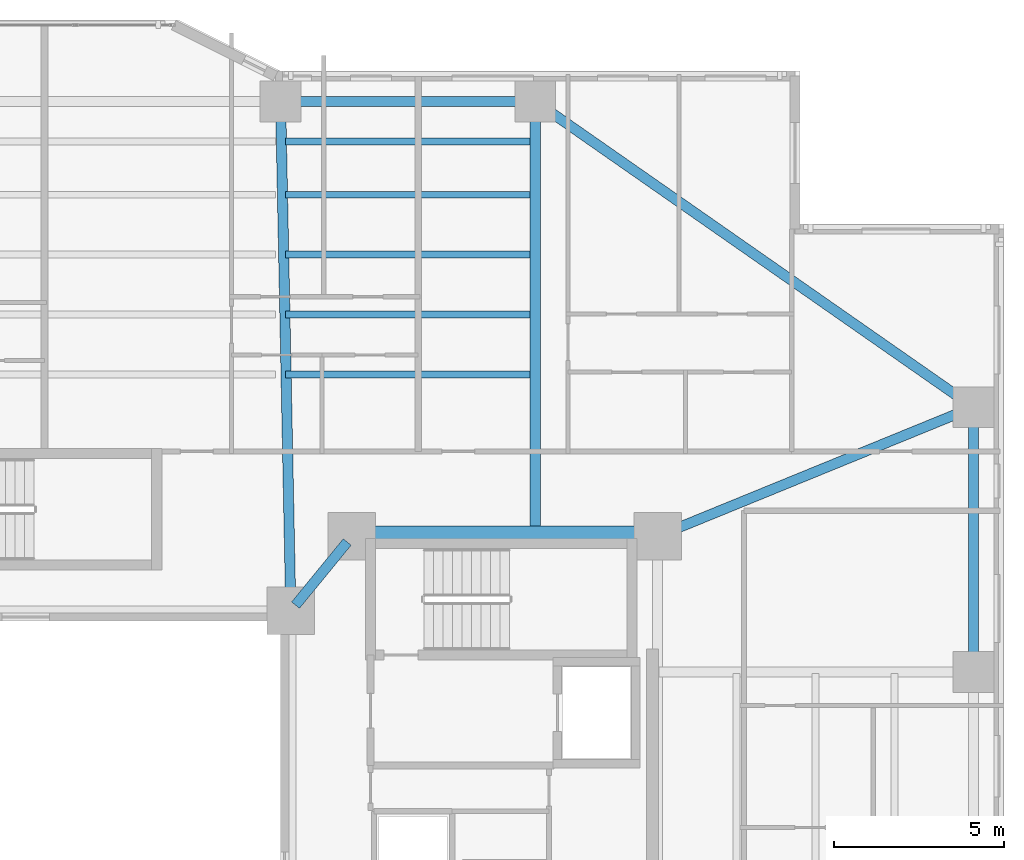
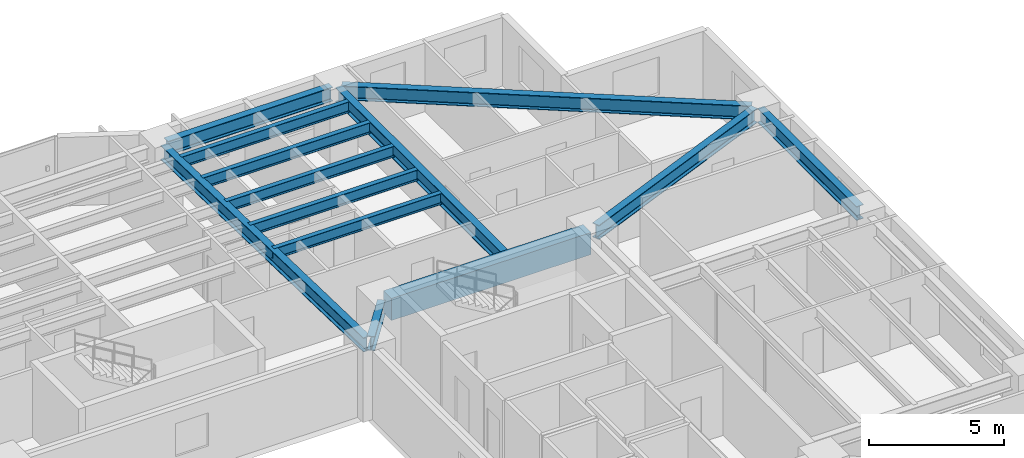
# One storey, part 7 of 22: 13 beams.
"""IFC4 building model written with IfcOpenShell, lengths in metres."""

from ifc_helpers import new_model, si_unit, direction, frame, origin, origin_2d, place, context, subcontext, project, spatial, rectangle, i_section, extrude, material, material_profile, profile_set, type_object, element, save


model = new_model("IFC4")

# Units and contexts
model_context = context("Model", 3, precision=1e-05, world=origin(), true_north=direction((0.0, 1.0)))
body_context = subcontext(model_context, "Body", "Model", "MODEL_VIEW")
ifc_project = project(units=[si_unit("LENGTHUNIT", "METRE"), si_unit("AREAUNIT", "SQUARE_METRE"), si_unit("VOLUMEUNIT", "CUBIC_METRE"), si_unit("PLANEANGLEUNIT", "RADIAN"), si_unit("MASSUNIT", "GRAM", prefix="KILO")], contexts=[model_context])

# Site, building, storey
site_placement = place(None, origin())
site = spatial("IfcSite", under=ifc_project, at=site_placement, CompositionType="ELEMENT")
building_placement = place(site_placement, origin())
building = spatial("IfcBuilding", under=site, at=building_placement, Name="Tarnavaz Court Tower", CompositionType="ELEMENT")
storey_placement = place(building_placement, frame((0.0, 0.0, 27.35009765625)))
storey = spatial("IfcBuildingStorey", under=building, at=storey_placement, Name="L06", CompositionType="ELEMENT", Elevation=27.35009765625)

# Beams
ifc_material_1 = material(Name="Concrete C60/75", Category="concrete")
ifc_material_profile_1 = material_profile(ifc_material_1, rectangle(XDim=0.60009765625, YDim=1.0, at=origin_2d()), Name="RC 600X1000")
ifc_profile_set_1 = profile_set([ifc_material_profile_1], Name="Concrete C60/75")
beam_type_1 = type_object("IfcBeamType", Name="BM-CB1000", PredefinedType="LINTEL", material=ifc_profile_set_1)
beam_1_placement = place(storey_placement, frame((18.3798828125, 10.0, 2.599853515625), z_axis=(-1.0, 0.0, 0.0), x_axis=(0.0, -1.0, 0.0)))
element("IfcBeam", 1, at=beam_1_placement, inside=storey, type_object=beam_type_1, Name="L06 Beam IN-CE-NO-CE-NI", PredefinedType="LINTEL", context=body_context, shape_type="SweptSolid", body=[
    extrude(rectangle(XDim=0.60009765625, YDim=1.0, at=origin_2d()), origin(), (0.0, 0.0, 1.0), 8.559814453125),
])
ifc_material_2 = material(Name="Steel S355", Category="steel")
ifc_material_profile_2 = material_profile(ifc_material_2, i_section(OverallWidth=0.300048828125, OverallDepth=0.64990234375, WebThickness=0.01611328125, FlangeThickness=0.031005859375, FilletRadius=0.027099609375, at=origin_2d()), Name="HEB 650")
ifc_profile_set_2 = profile_set([ifc_material_profile_2], Name="Steel S355")
beam_type_2 = type_object("IfcBeamType", Name="BM-G-HEB650", PredefinedType="USERDEFINED", material=ifc_profile_set_2)
beam_2_placement = place(storey_placement, frame((9.460693359375, 9.82958984375, 2.77490234375), z_axis=(-0.633282058357, -0.773921077735, 0.0), x_axis=(0.773921077735, -0.633282058357, 0.0)))
element("IfcBeam", 2, at=beam_2_placement, inside=storey, type_object=beam_type_2, Name="L06 Beam IN-CE-NI-IW-NE", ObjectType="GIRDER", PredefinedType="USERDEFINED", context=body_context, shape_type="SweptSolid", body=[
    extrude(i_section(OverallWidth=0.300048828125, OverallDepth=0.64990234375, WebThickness=0.01611328125, FlangeThickness=0.031005859375, FilletRadius=0.027099609375, at=origin_2d()), origin(), (0.0, 0.0, 1.0), 2.402587890625),
])
beam_3_placement = place(storey_placement, frame((7.795654296875, 8.02001953125, 2.77490234375), z_axis=(-0.020000023066, 0.999799979535, 0.0), x_axis=(-0.999799979535, -0.020000023066, 0.0)))
element("IfcBeam", 3, at=beam_3_placement, inside=storey, type_object=beam_type_2, Name="L06 Beam RG-03", ObjectType="GIRDER", PredefinedType="USERDEFINED", context=body_context, shape_type="SweptSolid", body=[
    extrude(i_section(OverallWidth=0.300048828125, OverallDepth=0.64990234375, WebThickness=0.01611328125, FlangeThickness=0.031005859375, FilletRadius=0.027099609375, at=origin_2d()), origin(), (0.0, 0.0, 1.0), 14.56298828125),
])
beam_4_placement = place(storey_placement, frame((15.0, 10.0400390625, 2.77490234375), z_axis=(0.0, 1.0, 0.0), x_axis=(-1.0, 0.0, 0.0)))
element("IfcBeam", 4, at=beam_4_placement, inside=storey, type_object=beam_type_2, Name="L06 Beam RG-04", ObjectType="GIRDER", PredefinedType="USERDEFINED", context=body_context, shape_type="SweptSolid", body=[
    extrude(i_section(OverallWidth=0.300048828125, OverallDepth=0.64990234375, WebThickness=0.01611328125, FlangeThickness=0.031005859375, FilletRadius=0.027099609375, at=origin_2d()), origin(), (0.0, 0.0, 1.0), 12.5400390625),
])
beam_5_placement = place(storey_placement, frame((18.8037109375, 10.083251953125, 2.77490234375), z_axis=(0.925704761705, 0.378246869329, 0.0), x_axis=(-0.378246869329, 0.925704761705, 0.0)))
element("IfcBeam", 5, at=beam_5_placement, inside=storey, type_object=beam_type_2, Name="L06 Beam RG-12", ObjectType="GIRDER", PredefinedType="USERDEFINED", context=body_context, shape_type="SweptSolid", body=[
    extrude(i_section(OverallWidth=0.300048828125, OverallDepth=0.64990234375, WebThickness=0.01611328125, FlangeThickness=0.031005859375, FilletRadius=0.027099609375, at=origin_2d()), origin(), (0.0, 0.0, 1.0), 9.606201171875),
])
ifc_material_profile_3 = material_profile(ifc_material_2, i_section(OverallWidth=0.199951171875, OverallDepth=0.5, WebThickness=0.01025390625, FlangeThickness=0.01611328125, FilletRadius=0.02099609375, at=origin_2d()), Name="IPE 500")
ifc_profile_set_3 = profile_set([ifc_material_profile_3], Name="Steel S355")
beam_type_3 = type_object("IfcBeamType", Name="BM-J-IPE500", PredefinedType="JOIST", material=ifc_profile_set_3)
for number, where, z_axis, x_axis, name in (
    (6, (7.64990234375, 14.763916015625, 2.849853515625), (1.0, 0.0, 0.0), (0.0, 1.0, 0.0), "L06 Beam JN1-3"),
    (7, (7.64990234375, 16.528076171875, 2.849853515625), (1.0, 0.0, 0.0), (0.0, 1.0, 0.0), "L06 Beam JN2-3"),
    (8, (7.64990234375, 18.2919921875, 2.849853515625), (1.0, 0.0, 0.0), (0.0, 1.0, 0.0), "L06 Beam JN3-3"),
    (9, (7.64990234375, 20.055908203125, 2.849853515625), (1.0, 0.0, 0.0), (0.0, 1.0, 0.0), "L06 Beam JN4-3"),
    (10, (7.64990234375, 21.6240234375, 2.849853515625), (1.0, 0.0, 0.0), (0.0, 1.0, 0.0), "L06 Beam JN5-3"),
):
    element("IfcBeam", number, at=place(storey_placement, frame(where, z_axis=z_axis, x_axis=x_axis)), inside=storey, type_object=beam_type_3, Name=name, PredefinedType="JOIST", context=body_context, shape_type="SweptSolid", body=[
        extrude(i_section(OverallWidth=0.199951171875, OverallDepth=0.5, WebThickness=0.01025390625, FlangeThickness=0.01611328125, FilletRadius=0.02099609375, at=origin_2d()), origin(), (0.0, 0.0, 1.0), 7.2001953125),
    ])
ifc_material_profile_4 = material_profile(ifc_material_2, i_section(OverallWidth=0.300048828125, OverallDepth=0.639892578125, WebThickness=0.013427734375, FlangeThickness=0.02587890625, FilletRadius=0.027099609375, at=origin_2d()), Name="HEA 650")
ifc_profile_set_4 = profile_set([ifc_material_profile_4], Name="Steel S355")
beam_type_4 = type_object("IfcBeamType", Name="BM-SP-HEA650", PredefinedType="SPANDREL", material=ifc_profile_set_4)
beam_6_placement = place(storey_placement, frame((7.719970703125, 22.800048828125, 2.77978515625), z_axis=(1.0, 0.0, 0.0), x_axis=(0.0, 1.0, 0.0)))
element("IfcBeam", 11, at=beam_6_placement, inside=storey, type_object=beam_type_4, Name="L06 Beam PR-PN-3-PN-4", PredefinedType="SPANDREL", context=body_context, shape_type="SweptSolid", body=[
    extrude(i_section(OverallWidth=0.300048828125, OverallDepth=0.639892578125, WebThickness=0.013427734375, FlangeThickness=0.02587890625, FilletRadius=0.027099609375, at=origin_2d()), origin(), (0.0, 0.0, 1.0), 7.06005859375),
])
beam_7_placement = place(storey_placement, frame((27.89990234375, 6.219970703125, 2.77978515625), z_axis=(0.0, 1.0, 0.0), x_axis=(-1.0, 0.0, 0.0)))
element("IfcBeam", 12, at=beam_7_placement, inside=storey, type_object=beam_type_4, Name="L06 Beam PR-PE-3-PE-4", PredefinedType="SPANDREL", context=body_context, shape_type="SweptSolid", body=[
    extrude(i_section(OverallWidth=0.300048828125, OverallDepth=0.639892578125, WebThickness=0.013427734375, FlangeThickness=0.02587890625, FilletRadius=0.027099609375, at=origin_2d()), origin(), (0.0, 0.0, 1.0), 7.360107421875),
])
beam_8_placement = place(storey_placement, frame((15.180419921875, 22.674072265625, 2.77978515625), z_axis=(0.820123643324, -0.572186341729, 0.0), x_axis=(0.572186341729, 0.820123643324, 0.0)))
element("IfcBeam", 13, at=beam_8_placement, inside=storey, type_object=beam_type_4, Name="L06 Beam PR-PN-4-PE-4", PredefinedType="SPANDREL", context=body_context, shape_type="SweptSolid", body=[
    extrude(i_section(OverallWidth=0.300048828125, OverallDepth=0.639892578125, WebThickness=0.013427734375, FlangeThickness=0.02587890625, FilletRadius=0.027099609375, at=origin_2d()), origin(), (0.0, 0.0, 1.0), 15.289306640625),
])

save(model, "model.ifc")
